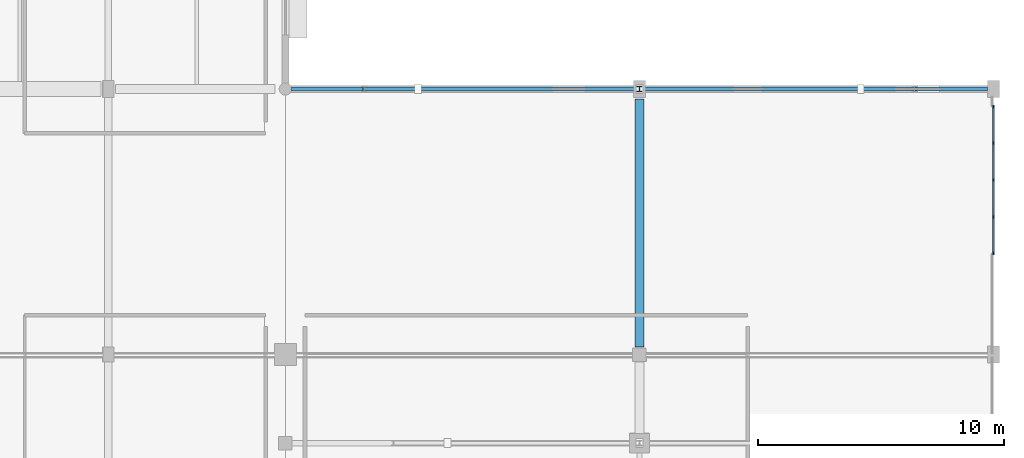
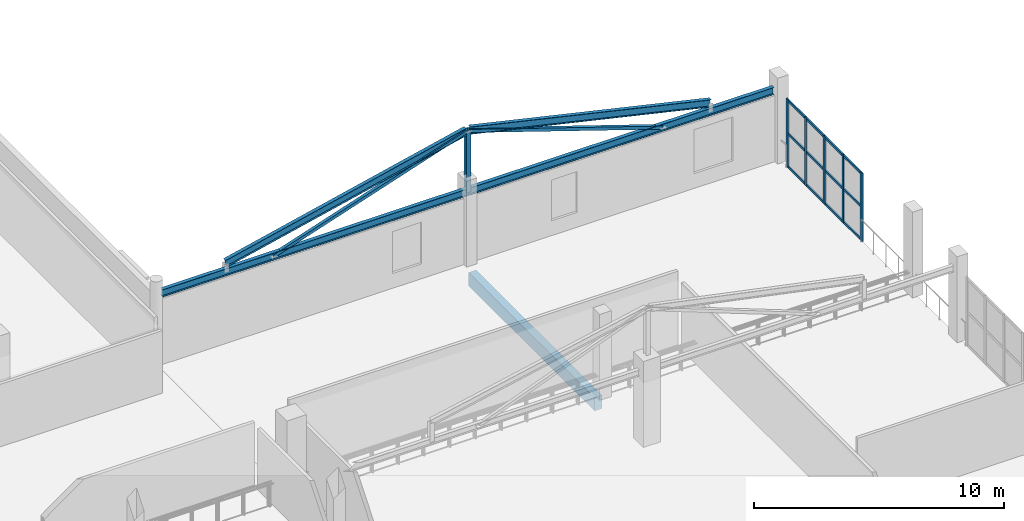
# One storey, part 38 of 92: 20 members, 4 beams, 1 element without a shape of its own.
"""IFC4 building model written with IfcOpenShell, lengths in metres."""

from ifc_helpers import new_model, si_unit, direction, frame, origin, origin_2d, place, context, subcontext, project, spatial, rectangle, hollow_rectangle, i_section, extrude, material, material_profile, profile_set, type_object, element, aggregate, save


model = new_model("IFC4")

# Units and contexts
model_context = context("Model", 3, precision=1e-05, world=origin(), true_north=direction((0.0, 1.0)))
body_context = subcontext(model_context, "Body", "Model", "MODEL_VIEW")
ifc_project = project(units=[si_unit("LENGTHUNIT", "METRE"), si_unit("AREAUNIT", "SQUARE_METRE"), si_unit("VOLUMEUNIT", "CUBIC_METRE"), si_unit("PLANEANGLEUNIT", "RADIAN"), si_unit("MASSUNIT", "GRAM", prefix="KILO")], contexts=[model_context])

# Site, building, storey
site_placement = place(None, origin())
site = spatial("IfcSite", under=ifc_project, at=site_placement, CompositionType="ELEMENT")
building_placement = place(site_placement, origin())
building = spatial("IfcBuilding", under=site, at=building_placement, Name="Solanera Park Tramway Depot", CompositionType="ELEMENT")
storey_placement = place(building_placement, frame((0.0, 0.0, 4.800048828125)))
storey = spatial("IfcBuildingStorey", under=building, at=storey_placement, Name="L01", CompositionType="ELEMENT", Elevation=4.800048828125)

# Curtain wall, members
ifc_material_1 = material(Name="Bronze-anodised thermally broken aluminium curtain wall", Category="aluminium")
curtain_wall_type = type_object("IfcCurtainWallType", Name="Parkfront Loggia Curtain Wall", PredefinedType="NOTDEFINED", material=ifc_material_1)
curtain_wall_placement = place(storey_placement, origin())
curtain_wall = element("IfcCurtainWall", 1, at=curtain_wall_placement, inside=storey, type_object=curtain_wall_type, Name="L01 Parkfront Loggia Curtain Wall #139", PredefinedType="NOTDEFINED")
ifc_material_2 = material(Name="Bronze-anodised structural aluminium 6063-T6", Category="aluminium")
ifc_material_profile_1 = material_profile(ifc_material_2, rectangle(XDim=0.06494140625, YDim=0.14990234375, at=origin_2d()), Name="Curtain Wall Mullion 65x150")
ifc_profile_set_1 = profile_set([ifc_material_profile_1], Name="Bronze-anodised structural aluminium 6063-T6")
member_type_1 = type_object("IfcMemberType", Name="Curtain Wall Mullion 65x150", PredefinedType="MULLION", material=ifc_profile_set_1)
member_1_placement = place(storey_placement, frame((216.0, 58.132568359375, 0.0), z_axis=(0.0, 0.0, 1.0), x_axis=(1.0, 0.0, 0.0)))
member_1 = element("IfcMember", 2, at=member_1_placement, type_object=member_type_1, Name="CW-L01-139 Mullion 1", PredefinedType="MULLION", context=body_context, shape_type="SweptSolid", body=[
    extrude(rectangle(XDim=0.06494140625, YDim=0.14990234375, at=origin_2d()), origin(), (0.0, 0.0, 1.0), 3.349853515625),
])
member_2_placement = place(storey_placement, frame((216.0, 59.60009765625, 0.0), z_axis=(0.0, 0.0, 1.0), x_axis=(1.0, 0.0, 0.0)))
member_2 = element("IfcMember", 3, at=member_2_placement, type_object=member_type_1, Name="CW-L01-139 Mullion 2", PredefinedType="MULLION", context=body_context, shape_type="SweptSolid", body=[
    extrude(rectangle(XDim=0.06494140625, YDim=0.14990234375, at=origin_2d()), origin(), (0.0, 0.0, 1.0), 3.349853515625),
])
member_3_placement = place(storey_placement, frame((216.0, 61.10009765625, 0.0), z_axis=(0.0, 0.0, 1.0), x_axis=(1.0, 0.0, 0.0)))
member_3 = element("IfcMember", 4, at=member_3_placement, type_object=member_type_1, Name="CW-L01-139 Mullion 3", PredefinedType="MULLION", context=body_context, shape_type="SweptSolid", body=[
    extrude(rectangle(XDim=0.06494140625, YDim=0.14990234375, at=origin_2d()), origin(), (0.0, 0.0, 1.0), 3.349853515625),
])
member_4_placement = place(storey_placement, frame((216.0, 62.60009765625, 0.0), z_axis=(0.0, 0.0, 1.0), x_axis=(1.0, 0.0, 0.0)))
member_4 = element("IfcMember", 5, at=member_4_placement, type_object=member_type_1, Name="CW-L01-139 Mullion 4", PredefinedType="MULLION", context=body_context, shape_type="SweptSolid", body=[
    extrude(rectangle(XDim=0.06494140625, YDim=0.14990234375, at=origin_2d()), origin(), (0.0, 0.0, 1.0), 3.349853515625),
])
member_5_placement = place(storey_placement, frame((216.0, 64.0673828125, 0.0), z_axis=(0.0, 0.0, 1.0), x_axis=(1.0, 0.0, 0.0)))
member_5 = element("IfcMember", 6, at=member_5_placement, type_object=member_type_1, Name="CW-L01-139 Mullion 5", PredefinedType="MULLION", context=body_context, shape_type="SweptSolid", body=[
    extrude(rectangle(XDim=0.06494140625, YDim=0.14990234375, at=origin_2d()), origin(), (0.0, 0.0, 1.0), 3.349853515625),
])
ifc_material_3 = material(Name="Bronze-anodised structural aluminium 6063-T6", Category="aluminium")
ifc_material_profile_2 = material_profile(ifc_material_3, rectangle(XDim=0.06494140625, YDim=0.1201171875, at=origin_2d()), Name="Curtain Wall Transom 65x120")
ifc_profile_set_2 = profile_set([ifc_material_profile_2], Name="Bronze-anodised structural aluminium 6063-T6")
member_type_2 = type_object("IfcMemberType", Name="Curtain Wall Transom 65x120", PredefinedType="USERDEFINED", material=ifc_profile_set_2)
member_6_placement = place(storey_placement, frame((216.0, 58.160400390625, 0.06005859375), z_axis=(0.0, 1.0, 0.0), x_axis=(-1.0, 0.0, 0.0)))
member_6 = element("IfcMember", 7, at=member_6_placement, type_object=member_type_2, Name="CW-L01-139 Transom R1.C1", ObjectType="TRANSOM", PredefinedType="USERDEFINED", context=body_context, shape_type="SweptSolid", body=[
    extrude(rectangle(XDim=0.06494140625, YDim=0.1201171875, at=origin_2d()), origin(), (0.0, 0.0, 1.0), 1.41162109375),
])
member_7_placement = place(storey_placement, frame((216.0, 59.6279296875, 0.06005859375), z_axis=(0.0, 1.0, 0.0), x_axis=(-1.0, 0.0, 0.0)))
member_7 = element("IfcMember", 8, at=member_7_placement, type_object=member_type_2, Name="CW-L01-139 Transom R1.C2", ObjectType="TRANSOM", PredefinedType="USERDEFINED", context=body_context, shape_type="SweptSolid", body=[
    extrude(rectangle(XDim=0.06494140625, YDim=0.1201171875, at=origin_2d()), origin(), (0.0, 0.0, 1.0), 1.444091796875),
])
member_8_placement = place(storey_placement, frame((216.0, 61.1279296875, 0.06005859375), z_axis=(0.0, 1.0, 0.0), x_axis=(-1.0, 0.0, 0.0)))
member_8 = element("IfcMember", 9, at=member_8_placement, type_object=member_type_2, Name="CW-L01-139 Transom R1.C3", ObjectType="TRANSOM", PredefinedType="USERDEFINED", context=body_context, shape_type="SweptSolid", body=[
    extrude(rectangle(XDim=0.06494140625, YDim=0.1201171875, at=origin_2d()), origin(), (0.0, 0.0, 1.0), 1.444091796875),
])
member_9_placement = place(storey_placement, frame((216.0, 62.6279296875, 0.06005859375), z_axis=(0.0, 1.0, 0.0), x_axis=(-1.0, 0.0, 0.0)))
member_9 = element("IfcMember", 10, at=member_9_placement, type_object=member_type_2, Name="CW-L01-139 Transom R1.C4", ObjectType="TRANSOM", PredefinedType="USERDEFINED", context=body_context, shape_type="SweptSolid", body=[
    extrude(rectangle(XDim=0.06494140625, YDim=0.1201171875, at=origin_2d()), origin(), (0.0, 0.0, 1.0), 1.41162109375),
])
member_10_placement = place(storey_placement, frame((216.0, 58.160400390625, 1.675048828125), z_axis=(0.0, 1.0, 0.0), x_axis=(-1.0, 0.0, 0.0)))
member_10 = element("IfcMember", 11, at=member_10_placement, type_object=member_type_2, Name="CW-L01-139 Transom R2.C1", ObjectType="TRANSOM", PredefinedType="USERDEFINED", context=body_context, shape_type="SweptSolid", body=[
    extrude(rectangle(XDim=0.06494140625, YDim=0.1201171875, at=origin_2d()), origin(), (0.0, 0.0, 1.0), 1.41162109375),
])
member_11_placement = place(storey_placement, frame((216.0, 59.6279296875, 1.675048828125), z_axis=(0.0, 1.0, 0.0), x_axis=(-1.0, 0.0, 0.0)))
member_11 = element("IfcMember", 12, at=member_11_placement, type_object=member_type_2, Name="CW-L01-139 Transom R2.C2", ObjectType="TRANSOM", PredefinedType="USERDEFINED", context=body_context, shape_type="SweptSolid", body=[
    extrude(rectangle(XDim=0.06494140625, YDim=0.1201171875, at=origin_2d()), origin(), (0.0, 0.0, 1.0), 1.444091796875),
])
member_12_placement = place(storey_placement, frame((216.0, 61.1279296875, 1.675048828125), z_axis=(0.0, 1.0, 0.0), x_axis=(-1.0, 0.0, 0.0)))
member_12 = element("IfcMember", 13, at=member_12_placement, type_object=member_type_2, Name="CW-L01-139 Transom R2.C3", ObjectType="TRANSOM", PredefinedType="USERDEFINED", context=body_context, shape_type="SweptSolid", body=[
    extrude(rectangle(XDim=0.06494140625, YDim=0.1201171875, at=origin_2d()), origin(), (0.0, 0.0, 1.0), 1.444091796875),
])
member_13_placement = place(storey_placement, frame((216.0, 62.6279296875, 1.675048828125), z_axis=(0.0, 1.0, 0.0), x_axis=(-1.0, 0.0, 0.0)))
member_13 = element("IfcMember", 14, at=member_13_placement, type_object=member_type_2, Name="CW-L01-139 Transom R2.C4", ObjectType="TRANSOM", PredefinedType="USERDEFINED", context=body_context, shape_type="SweptSolid", body=[
    extrude(rectangle(XDim=0.06494140625, YDim=0.1201171875, at=origin_2d()), origin(), (0.0, 0.0, 1.0), 1.41162109375),
])
member_14_placement = place(storey_placement, frame((216.0, 58.160400390625, 3.2900390625), z_axis=(0.0, 1.0, 0.0), x_axis=(-1.0, 0.0, 0.0)))
member_14 = element("IfcMember", 15, at=member_14_placement, type_object=member_type_2, Name="CW-L01-139 Transom R3.C1", ObjectType="TRANSOM", PredefinedType="USERDEFINED", context=body_context, shape_type="SweptSolid", body=[
    extrude(rectangle(XDim=0.06494140625, YDim=0.1201171875, at=origin_2d()), origin(), (0.0, 0.0, 1.0), 1.41162109375),
])
member_15_placement = place(storey_placement, frame((216.0, 59.6279296875, 3.2900390625), z_axis=(0.0, 1.0, 0.0), x_axis=(-1.0, 0.0, 0.0)))
member_15 = element("IfcMember", 16, at=member_15_placement, type_object=member_type_2, Name="CW-L01-139 Transom R3.C2", ObjectType="TRANSOM", PredefinedType="USERDEFINED", context=body_context, shape_type="SweptSolid", body=[
    extrude(rectangle(XDim=0.06494140625, YDim=0.1201171875, at=origin_2d()), origin(), (0.0, 0.0, 1.0), 1.444091796875),
])
member_16_placement = place(storey_placement, frame((216.0, 61.1279296875, 3.2900390625), z_axis=(0.0, 1.0, 0.0), x_axis=(-1.0, 0.0, 0.0)))
member_16 = element("IfcMember", 17, at=member_16_placement, type_object=member_type_2, Name="CW-L01-139 Transom R3.C3", ObjectType="TRANSOM", PredefinedType="USERDEFINED", context=body_context, shape_type="SweptSolid", body=[
    extrude(rectangle(XDim=0.06494140625, YDim=0.1201171875, at=origin_2d()), origin(), (0.0, 0.0, 1.0), 1.444091796875),
])
member_17_placement = place(storey_placement, frame((216.0, 62.6279296875, 3.2900390625), z_axis=(0.0, 1.0, 0.0), x_axis=(-1.0, 0.0, 0.0)))
member_17 = element("IfcMember", 18, at=member_17_placement, type_object=member_type_2, Name="CW-L01-139 Transom R3.C4", ObjectType="TRANSOM", PredefinedType="USERDEFINED", context=body_context, shape_type="SweptSolid", body=[
    extrude(rectangle(XDim=0.06494140625, YDim=0.1201171875, at=origin_2d()), origin(), (0.0, 0.0, 1.0), 1.41162109375),
])
aggregate(curtain_wall, [member_1, member_2, member_3, member_4, member_5, member_6, member_7, member_8, member_9, member_10, member_11, member_12, member_13, member_14, member_15, member_16, member_17])

# Beam
ifc_material_4 = material(Name="Concrete N40 (C40/50)", Category="concrete")
ifc_material_profile_3 = material_profile(ifc_material_4, rectangle(XDim=0.35009765625, YDim=0.64990234375, at=origin_2d()), Name="RCB 350x650")
ifc_profile_set_3 = profile_set([ifc_material_profile_3], Name="Concrete N40 (C40/50)")
beam_type_1 = type_object("IfcBeamType", Name="RC Floor Beam RCB 350x650", PredefinedType="BEAM", material=ifc_profile_set_3)
beam_1_placement = place(storey_placement, frame((201.60009765625, 54.300048828125, -0.5791015625), z_axis=(0.0, 1.0, 0.0), x_axis=(-1.0, 0.0, 0.0)))
element("IfcBeam", 19, at=beam_1_placement, inside=storey, type_object=beam_type_1, Name="L01 Primary Y-Girder RCB 350x650 #0087", PredefinedType="BEAM", context=body_context, shape_type="SweptSolid", body=[
    extrude(rectangle(XDim=0.35009765625, YDim=0.64990234375, at=origin_2d()), origin(), (0.0, 0.0, 1.0), 10.099853515625),
])

# Member
ifc_material_5 = material(Name="Steel AS/NZS 3679.1 Grade 350", Category="steel")
ifc_material_profile_4 = material_profile(ifc_material_5, i_section(OverallWidth=0.205078125, OverallDepth=0.209716796875, WebThickness=0.00927734375, FlangeThickness=0.01416015625, at=origin_2d()), Name="200UC59.5")
ifc_profile_set_4 = profile_set([ifc_material_profile_4], Name="Steel AS/NZS 3679.1 Grade 350")
member_type_3 = type_object("IfcMemberType", Name="Roof Gantry Compression Strut 200UC59.5", PredefinedType="STRUT", material=ifc_profile_set_4)
member_18_placement = place(storey_placement, frame((201.60009765625, 64.800048828125, 3.42724609375), z_axis=(0.0, 0.0, 1.0), x_axis=(1.0, 0.0, 0.0)))
element("IfcMember", 20, at=member_18_placement, inside=storey, type_object=member_type_3, Name="Hip ROOF TRUSS King Post #0187", PredefinedType="STRUT", context=body_context, shape_type="SweptSolid", body=[
    extrude(i_section(OverallWidth=0.205078125, OverallDepth=0.209716796875, WebThickness=0.00927734375, FlangeThickness=0.01416015625, at=origin_2d()), origin(), (0.0, 0.0, 1.0), 2.982421875),
])

# Beams
ifc_material_6 = material(Name="Steel AS/NZS 3679.1 Grade 350", Category="steel")
ifc_material_profile_5 = material_profile(ifc_material_6, i_section(OverallWidth=0.17138671875, OverallDepth=0.355712890625, WebThickness=0.00732421875, FlangeThickness=0.011474609375, at=origin_2d()), Name="360UB50.7")
ifc_profile_set_5 = profile_set([ifc_material_profile_5], Name="Steel AS/NZS 3679.1 Grade 350")
beam_type_2 = type_object("IfcBeamType", Name="Steel Beam 360UB50.7", PredefinedType="BEAM", material=ifc_profile_set_5)
beam_2_placement = place(storey_placement, frame((187.449951171875, 64.800048828125, 3.42724609375), z_axis=(1.0, 0.0, 0.0), x_axis=(0.0, 1.0, 0.0)))
element("IfcBeam", 21, at=beam_2_placement, inside=storey, type_object=beam_type_2, Name="L01 Hip ROOF TRUSS Tie 360UB50.7 #1134", PredefinedType="BEAM", context=body_context, shape_type="SweptSolid", body=[
    extrude(i_section(OverallWidth=0.17138671875, OverallDepth=0.355712890625, WebThickness=0.00732421875, FlangeThickness=0.011474609375, at=origin_2d()), origin(), (0.0, 0.0, 1.0), 28.300048828125),
])
for number, where, z_axis, x_axis, name in (
    (22, (190.39990234375, 64.800048828125, 3.8427734375), (0.974466007031, 0.0, 0.224535077754), (0.0, 1.0, 0.0), "L01 Hip ROOF TRUSS Rafter 360UB50.7 #1135"),
    (23, (201.659912109375, 64.800048828125, 6.40966796875), (0.974466007031, 0.0, -0.224535077754), (0.0, 1.0, 0.0), "L01 Hip ROOF TRUSS Rafter 360UB50.7 #1136"),
):
    element("IfcBeam", number, at=place(storey_placement, frame(where, z_axis=z_axis, x_axis=x_axis)), inside=storey, type_object=beam_type_2, Name=name, PredefinedType="BEAM", context=body_context, shape_type="SweptSolid", body=[
        extrude(i_section(OverallWidth=0.17138671875, OverallDepth=0.355712890625, WebThickness=0.00732421875, FlangeThickness=0.011474609375, at=origin_2d()), origin(), (0.0, 0.0, 1.0), 11.43212890625),
    ])

# Members
ifc_material_7 = material(Name="Steel AS/NZS 1163 Grade C350L0", Category="steel")
ifc_material_profile_6 = material_profile(ifc_material_7, hollow_rectangle(XDim=0.14990234375, YDim=0.14990234375, WallThickness=0.006103515625, at=origin_2d()), Name="150x150x6.0 SHS")
ifc_profile_set_6 = profile_set([ifc_material_profile_6], Name="Steel AS/NZS 1163 Grade C350L0")
member_type_4 = type_object("IfcMemberType", Name="Truss and Frame Brace 150x150x6.0 SHS", PredefinedType="BRACE", material=ifc_profile_set_6)
for number, where, z_axis, x_axis, name in (
    (24, (192.60009765625, 64.800048828125, 3.42724609375), (0.949238024819, 0.0, 0.314558694423), (0.0, 1.0, 0.0), "Hip ROOF TRUSS Web #0497"),
    (25, (210.60009765625, 64.800048828125, 3.42724609375), (-0.949238024819, 0.0, 0.314558694423), (0.0, -1.0, 0.0), "Hip ROOF TRUSS Web #0498"),
):
    element("IfcMember", number, at=place(storey_placement, frame(where, z_axis=z_axis, x_axis=x_axis)), inside=storey, type_object=member_type_4, Name=name, PredefinedType="BRACE", context=body_context, shape_type="SweptSolid", body=[
        extrude(hollow_rectangle(XDim=0.14990234375, YDim=0.14990234375, WallThickness=0.006103515625, at=origin_2d()), origin(), (0.0, 0.0, 1.0), 9.481201171875),
    ])

save(model, "model.ifc")
